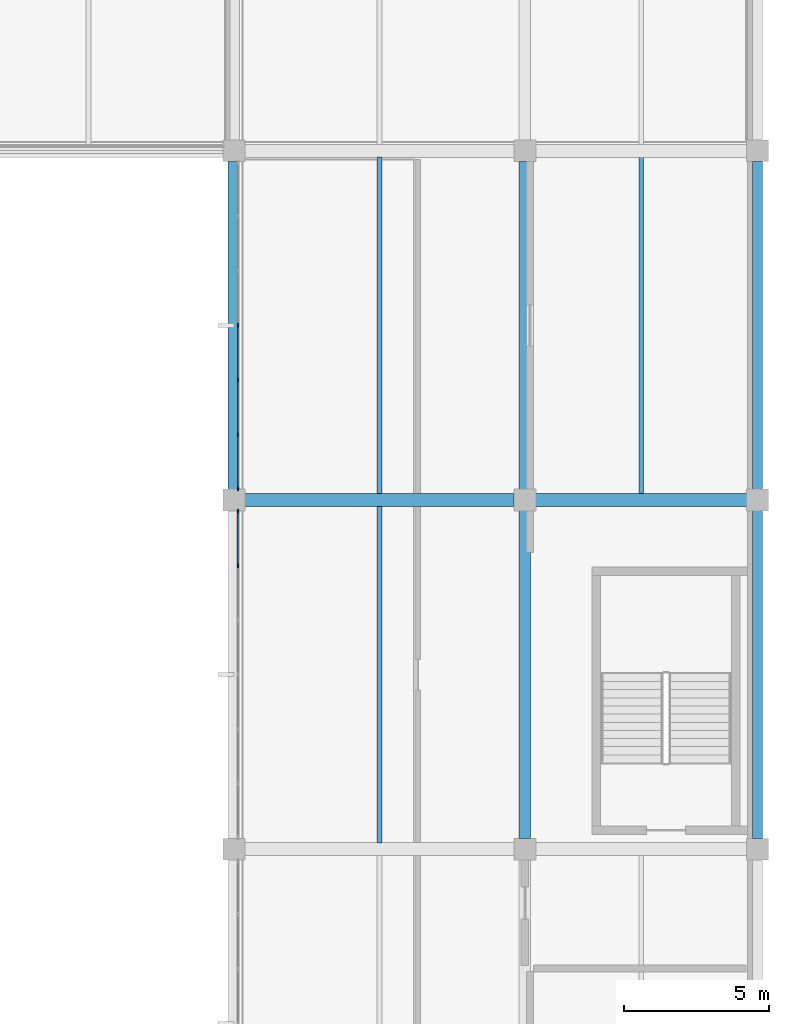
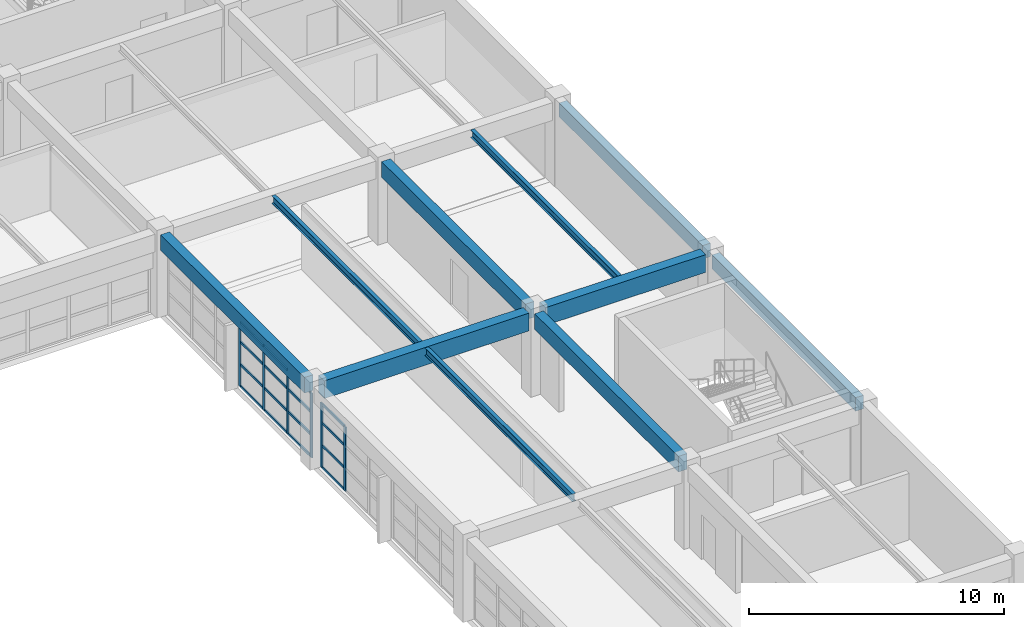
# One storey, part 37 of 83: 22 members, 10 beams, 2 elements without a shape of their own.
"""IFC4 building model written with IfcOpenShell, lengths in metres."""

from ifc_helpers import new_model, si_unit, direction, frame, origin, origin_2d, place, context, subcontext, project, spatial, rectangle, i_section, extrude, material, layer, layer_set, material_profile, profile_set, type_object, element, aggregate, save


model = new_model("IFC4")

# Units and contexts
model_context = context("Model", 3, precision=1e-05, world=origin(), true_north=direction((0.0, 1.0)))
body_context = subcontext(model_context, "Body", "Model", "MODEL_VIEW")
ifc_project = project(units=[si_unit("LENGTHUNIT", "METRE"), si_unit("AREAUNIT", "SQUARE_METRE"), si_unit("VOLUMEUNIT", "CUBIC_METRE"), si_unit("PLANEANGLEUNIT", "RADIAN"), si_unit("MASSUNIT", "GRAM", prefix="KILO")], contexts=[model_context])

# Site, building, storey
site_placement = place(None, origin())
site = spatial("IfcSite", under=ifc_project, at=site_placement, CompositionType="ELEMENT")
building_placement = place(site_placement, origin())
building = spatial("IfcBuilding", under=site, at=building_placement, Name="Kivolera Central Railway Station", CompositionType="ELEMENT")
storey_placement = place(building_placement, frame((0.0, 0.0, 14.39990234375)))
storey = spatial("IfcBuildingStorey", under=building, at=storey_placement, Name="L03", CompositionType="ELEMENT", Elevation=14.39990234375)

# Beams
ifc_material_1 = material(Name="Steel S355", Category="steel")
ifc_material_profile_1 = material_profile(ifc_material_1, i_section(OverallWidth=0.169921875, OverallDepth=0.360107421875, WebThickness=0.008056640625, FlangeThickness=0.0126953125, FilletRadius=0.01806640625, at=origin_2d()), Name="IPE 360")
ifc_profile_set_1 = profile_set([ifc_material_profile_1], Name="Steel S355")
beam_type_1 = type_object("IfcBeamType", Name="BM-JST-IPE360", PredefinedType="JOIST", material=ifc_profile_set_1)
for number, where, z_axis, x_axis, name in (
    (1, (183.0, 90.217041015625, 3.748046875), (0.0, 1.0, 0.0), (-1.0, 0.0, 0.0), "L03 Floor Joist 18-19/H-J"),
    (2, (183.0, 102.217041015625, 3.748046875), (0.0, 1.0, 0.0), (-1.0, 0.0, 0.0), "L03 Floor Joist 18-19/J-K"),
    (3, (192.0, 102.217041015625, 3.748046875), (0.0, 1.0, 0.0), (-1.0, 0.0, 0.0), "L03 Floor Joist 19-20/J-K"),
):
    element("IfcBeam", number, at=place(storey_placement, frame(where, z_axis=z_axis, x_axis=x_axis)), inside=storey, type_object=beam_type_1, Name=name, PredefinedType="JOIST", context=body_context, shape_type="SweptSolid", body=[
        extrude(i_section(OverallWidth=0.169921875, OverallDepth=0.360107421875, WebThickness=0.008056640625, FlangeThickness=0.0126953125, FilletRadius=0.01806640625, at=origin_2d()), origin(), (0.0, 0.0, 1.0), 11.56591796875),
    ])
ifc_material_2 = material(Name="Concrete C40/50", Category="concrete")
ifc_material_profile_2 = material_profile(ifc_material_2, rectangle(XDim=0.39990234375, YDim=0.75, at=origin_2d()), Name="RC 400x750")
ifc_profile_set_2 = profile_set([ifc_material_profile_2], Name="Concrete C40/50")
beam_type_2 = type_object("IfcBeamType", Name="BM-RC-400x750", PredefinedType="BEAM", material=ifc_profile_set_2)
for number, where, z_axis, x_axis, name in (
    (4, (178.0, 102.366943359375, 3.565185546875), (0.0, 1.0, 0.0), (-1.0, 0.0, 0.0), "L03 Wing Y-Beam 18:J-K"),
    (5, (188.0, 90.366943359375, 3.565185546875), (0.0, 1.0, 0.0), (-1.0, 0.0, 0.0), "L03 Wing Y-Beam 19:H-J"),
    (6, (188.0, 102.366943359375, 3.565185546875), (0.0, 1.0, 0.0), (-1.0, 0.0, 0.0), "L03 Wing Y-Beam 19:J-K"),
):
    element("IfcBeam", number, at=place(storey_placement, frame(where, z_axis=z_axis, x_axis=x_axis)), inside=storey, type_object=beam_type_2, Name=name, PredefinedType="BEAM", context=body_context, shape_type="SweptSolid", body=[
        extrude(rectangle(XDim=0.39990234375, YDim=0.75, at=origin_2d()), origin(), (0.0, 0.0, 1.0), 11.26611328125),
    ])
ifc_material_profile_3 = material_profile(ifc_material_2, rectangle(XDim=0.449951171875, YDim=0.85009765625, at=origin_2d()), Name="RC 450x850")
ifc_profile_set_3 = profile_set([ifc_material_profile_3], Name="Concrete C40/50")
beam_type_3 = type_object("IfcBeamType", Name="BM-RC-450x850", PredefinedType="BEAM", material=ifc_profile_set_3)
beam_1_placement = place(storey_placement, frame((178.366943359375, 102.0, 3.51513671875), z_axis=(1.0, 0.0, 0.0), x_axis=(0.0, 1.0, 0.0)))
element("IfcBeam", 7, at=beam_1_placement, inside=storey, type_object=beam_type_3, Name="L03 Wing X-Beam J:18-19", PredefinedType="BEAM", context=body_context, shape_type="SweptSolid", body=[
    extrude(rectangle(XDim=0.449951171875, YDim=0.85009765625, at=origin_2d()), origin(), (0.0, 0.0, 1.0), 9.26611328125),
])
beam_2_placement = place(storey_placement, frame((188.366943359375, 102.0, 3.51513671875), z_axis=(1.0, 0.0, 0.0), x_axis=(0.0, 1.0, 0.0)))
element("IfcBeam", 8, at=beam_2_placement, inside=storey, type_object=beam_type_3, Name="L03 Wing X-Beam J:19-20", PredefinedType="BEAM", context=body_context, shape_type="SweptSolid", body=[
    extrude(rectangle(XDim=0.449951171875, YDim=0.85009765625, at=origin_2d()), origin(), (0.0, 0.0, 1.0), 7.26611328125),
])
ifc_material_profile_4 = material_profile(ifc_material_2, rectangle(XDim=0.35009765625, YDim=0.64990234375, at=origin_2d()), Name="RC 350x650")
ifc_profile_set_4 = profile_set([ifc_material_profile_4], Name="Concrete C40/50")
beam_type_4 = type_object("IfcBeamType", Name="BM-SPN-RC650", PredefinedType="SPANDREL", material=ifc_profile_set_4)
for number, where, z_axis, x_axis, name in (
    (9, (196.0, 90.366943359375, 3.614990234375), (0.0, 1.0, 0.0), (-1.0, 0.0, 0.0), "L03 Wing Y-Beam 20:H-J"),
    (10, (196.0, 102.366943359375, 3.614990234375), (0.0, 1.0, 0.0), (-1.0, 0.0, 0.0), "L03 Wing Y-Beam 20:J-K"),
):
    element("IfcBeam", number, at=place(storey_placement, frame(where, z_axis=z_axis, x_axis=x_axis)), inside=storey, type_object=beam_type_4, Name=name, PredefinedType="SPANDREL", context=body_context, shape_type="SweptSolid", body=[
        extrude(rectangle(XDim=0.35009765625, YDim=0.64990234375, at=origin_2d()), origin(), (0.0, 0.0, 1.0), 11.26611328125),
    ])

# Curtain wall, members
ifc_material_3 = material(Name="Anodised aluminium", Category="aluminium")
ifc_layer = layer(ifc_material_3, 0.179931640625, Name="Anodised aluminium")
ifc_layer_set = layer_set([ifc_layer], Name="Anodised aluminium")
curtain_wall_type = type_object("IfcCurtainWallType", Name="CW-SYS-30", PredefinedType="NOTDEFINED", material=ifc_layer_set)
curtain_wall_1_placement = place(storey_placement, origin())
curtain_wall_1 = element("IfcCurtainWall", 11, at=curtain_wall_1_placement, inside=storey, type_object=curtain_wall_type, Name="L03 Curtain Wall CW-L03-CRTE-H", PredefinedType="NOTDEFINED")
ifc_material_profile_5 = material_profile(ifc_material_3, rectangle(XDim=0.06005859375, YDim=0.14990234375, at=origin_2d()), Name="ALU MULL 60x150")
ifc_profile_set_5 = profile_set([ifc_material_profile_5], Name="Anodised aluminium")
member_type_1 = type_object("IfcMemberType", Name="CWM-MUL-2", PredefinedType="MULLION", material=ifc_profile_set_5)
member_1_placement = place(storey_placement, frame((178.14501953125, 99.75341796875, -0.0048828125), z_axis=(0.0, 0.0, 1.0), x_axis=(-1.0, 0.0, 0.0)))
member_1 = element("IfcMember", 12, at=member_1_placement, type_object=member_type_1, Name="CW-30 mullion 6", PredefinedType="MULLION", context=body_context, shape_type="SweptSolid", body=[
    extrude(rectangle(XDim=0.06005859375, YDim=0.14990234375, at=origin_2d()), origin(), (0.0, 0.0, 1.0), 3.0830078125),
])
member_2_placement = place(storey_placement, frame((178.14501953125, 101.60009765625, -0.0048828125), z_axis=(0.0, 0.0, 1.0), x_axis=(-1.0, 0.0, 0.0)))
member_2 = element("IfcMember", 13, at=member_2_placement, type_object=member_type_1, Name="CW-30 mullion 7", PredefinedType="MULLION", context=body_context, shape_type="SweptSolid", body=[
    extrude(rectangle(XDim=0.06005859375, YDim=0.14990234375, at=origin_2d()), origin(), (0.0, 0.0, 1.0), 3.0830078125),
])

curtain_wall_2_placement = place(storey_placement, origin())
curtain_wall_2 = element("IfcCurtainWall", 14, at=curtain_wall_2_placement, inside=storey, type_object=curtain_wall_type, Name="L03 Curtain Wall CW-L03-CRTE-J", PredefinedType="NOTDEFINED")
member_3_placement = place(storey_placement, frame((178.14501953125, 102.39990234375, -0.0048828125), z_axis=(0.0, 0.0, 1.0), x_axis=(-1.0, 0.0, 0.0)))
member_3 = element("IfcMember", 15, at=member_3_placement, type_object=member_type_1, Name="CW-30 mullion 1", PredefinedType="MULLION", context=body_context, shape_type="SweptSolid", body=[
    extrude(rectangle(XDim=0.06005859375, YDim=0.14990234375, at=origin_2d()), origin(), (0.0, 0.0, 1.0), 3.0830078125),
])
member_4_placement = place(storey_placement, frame((178.14501953125, 104.24658203125, -0.0048828125), z_axis=(0.0, 0.0, 1.0), x_axis=(-1.0, 0.0, 0.0)))
member_4 = element("IfcMember", 16, at=member_4_placement, type_object=member_type_1, Name="CW-30 mullion 2", PredefinedType="MULLION", context=body_context, shape_type="SweptSolid", body=[
    extrude(rectangle(XDim=0.06005859375, YDim=0.14990234375, at=origin_2d()), origin(), (0.0, 0.0, 1.0), 3.0830078125),
])
member_5_placement = place(storey_placement, frame((178.14501953125, 106.123291015625, -0.0048828125), z_axis=(0.0, 0.0, 1.0), x_axis=(-1.0, 0.0, 0.0)))
member_5 = element("IfcMember", 17, at=member_5_placement, type_object=member_type_1, Name="CW-30 mullion 3", PredefinedType="MULLION", context=body_context, shape_type="SweptSolid", body=[
    extrude(rectangle(XDim=0.06005859375, YDim=0.14990234375, at=origin_2d()), origin(), (0.0, 0.0, 1.0), 3.0830078125),
])
member_6_placement = place(storey_placement, frame((178.14501953125, 108.0, -0.0048828125), z_axis=(0.0, 0.0, 1.0), x_axis=(-1.0, 0.0, 0.0)))
member_6 = element("IfcMember", 18, at=member_6_placement, type_object=member_type_1, Name="CW-30 mullion 4", PredefinedType="MULLION", context=body_context, shape_type="SweptSolid", body=[
    extrude(rectangle(XDim=0.06005859375, YDim=0.14990234375, at=origin_2d()), origin(), (0.0, 0.0, 1.0), 3.0830078125),
])

# Member
ifc_material_profile_6 = material_profile(ifc_material_3, rectangle(XDim=0.06005859375, YDim=0.1201171875, at=origin_2d()), Name="ALU TRAN 60x120")
ifc_profile_set_6 = profile_set([ifc_material_profile_6], Name="Anodised aluminium")
member_type_2 = type_object("IfcMemberType", Name="CWM-TRN-2", PredefinedType="USERDEFINED", material=ifc_profile_set_6)
member_7_placement = place(storey_placement, frame((178.14501953125, 99.783447265625, 0.030029296875), z_axis=(0.0, 1.0, 0.0), x_axis=(-1.0, 0.0, 0.0)))
member_7 = element("IfcMember", 19, at=member_7_placement, type_object=member_type_2, Name="CW-30 transom 6.1", ObjectType="TRANSOM", PredefinedType="USERDEFINED", context=body_context, shape_type="SweptSolid", body=[
    extrude(rectangle(XDim=0.06005859375, YDim=0.1201171875, at=origin_2d()), origin(), (0.0, 0.0, 1.0), 1.78662109375),
])

member_8_placement = place(storey_placement, frame((178.14501953125, 99.783447265625, 1.077392578125), z_axis=(0.0, 1.0, 0.0), x_axis=(-1.0, 0.0, 0.0)))
member_8 = element("IfcMember", 20, at=member_8_placement, type_object=member_type_2, Name="CW-30 transom 6.2", ObjectType="TRANSOM", PredefinedType="USERDEFINED", context=body_context, shape_type="SweptSolid", body=[
    extrude(rectangle(XDim=0.06005859375, YDim=0.1201171875, at=origin_2d()), origin(), (0.0, 0.0, 1.0), 1.78662109375),
])

member_9_placement = place(storey_placement, frame((178.14501953125, 99.783447265625, 2.15478515625), z_axis=(0.0, 1.0, 0.0), x_axis=(-1.0, 0.0, 0.0)))
member_9 = element("IfcMember", 21, at=member_9_placement, type_object=member_type_2, Name="CW-30 transom 6.3", ObjectType="TRANSOM", PredefinedType="USERDEFINED", context=body_context, shape_type="SweptSolid", body=[
    extrude(rectangle(XDim=0.06005859375, YDim=0.1201171875, at=origin_2d()), origin(), (0.0, 0.0, 1.0), 1.78662109375),
])

member_10_placement = place(storey_placement, frame((178.14501953125, 99.783447265625, 3.048095703125), z_axis=(0.0, 1.0, 0.0), x_axis=(-1.0, 0.0, 0.0)))
member_10 = element("IfcMember", 22, at=member_10_placement, type_object=member_type_2, Name="CW-30 transom 6.4", ObjectType="TRANSOM", PredefinedType="USERDEFINED", context=body_context, shape_type="SweptSolid", body=[
    extrude(rectangle(XDim=0.06005859375, YDim=0.1201171875, at=origin_2d()), origin(), (0.0, 0.0, 1.0), 1.78662109375),
])

aggregate(curtain_wall_1, [member_1, member_2, member_7, member_8, member_9, member_10])

member_11_placement = place(storey_placement, frame((178.14501953125, 102.429931640625, 0.030029296875), z_axis=(0.0, 1.0, 0.0), x_axis=(-1.0, 0.0, 0.0)))
member_11 = element("IfcMember", 23, at=member_11_placement, type_object=member_type_2, Name="CW-30 transom 1.1", ObjectType="TRANSOM", PredefinedType="USERDEFINED", context=body_context, shape_type="SweptSolid", body=[
    extrude(rectangle(XDim=0.06005859375, YDim=0.1201171875, at=origin_2d()), origin(), (0.0, 0.0, 1.0), 1.78662109375),
])

member_12_placement = place(storey_placement, frame((178.14501953125, 102.429931640625, 1.077392578125), z_axis=(0.0, 1.0, 0.0), x_axis=(-1.0, 0.0, 0.0)))
member_12 = element("IfcMember", 24, at=member_12_placement, type_object=member_type_2, Name="CW-30 transom 1.2", ObjectType="TRANSOM", PredefinedType="USERDEFINED", context=body_context, shape_type="SweptSolid", body=[
    extrude(rectangle(XDim=0.06005859375, YDim=0.1201171875, at=origin_2d()), origin(), (0.0, 0.0, 1.0), 1.78662109375),
])

member_13_placement = place(storey_placement, frame((178.14501953125, 102.429931640625, 2.15478515625), z_axis=(0.0, 1.0, 0.0), x_axis=(-1.0, 0.0, 0.0)))
member_13 = element("IfcMember", 25, at=member_13_placement, type_object=member_type_2, Name="CW-30 transom 1.3", ObjectType="TRANSOM", PredefinedType="USERDEFINED", context=body_context, shape_type="SweptSolid", body=[
    extrude(rectangle(XDim=0.06005859375, YDim=0.1201171875, at=origin_2d()), origin(), (0.0, 0.0, 1.0), 1.78662109375),
])

member_14_placement = place(storey_placement, frame((178.14501953125, 102.429931640625, 3.048095703125), z_axis=(0.0, 1.0, 0.0), x_axis=(-1.0, 0.0, 0.0)))
member_14 = element("IfcMember", 26, at=member_14_placement, type_object=member_type_2, Name="CW-30 transom 1.4", ObjectType="TRANSOM", PredefinedType="USERDEFINED", context=body_context, shape_type="SweptSolid", body=[
    extrude(rectangle(XDim=0.06005859375, YDim=0.1201171875, at=origin_2d()), origin(), (0.0, 0.0, 1.0), 1.78662109375),
])

member_15_placement = place(storey_placement, frame((178.14501953125, 104.276611328125, 0.030029296875), z_axis=(0.0, 1.0, 0.0), x_axis=(-1.0, 0.0, 0.0)))
member_15 = element("IfcMember", 27, at=member_15_placement, type_object=member_type_2, Name="CW-30 transom 2.1", ObjectType="TRANSOM", PredefinedType="USERDEFINED", context=body_context, shape_type="SweptSolid", body=[
    extrude(rectangle(XDim=0.06005859375, YDim=0.1201171875, at=origin_2d()), origin(), (0.0, 0.0, 1.0), 1.816650390625),
])

member_16_placement = place(storey_placement, frame((178.14501953125, 104.276611328125, 1.077392578125), z_axis=(0.0, 1.0, 0.0), x_axis=(-1.0, 0.0, 0.0)))
member_16 = element("IfcMember", 28, at=member_16_placement, type_object=member_type_2, Name="CW-30 transom 2.2", ObjectType="TRANSOM", PredefinedType="USERDEFINED", context=body_context, shape_type="SweptSolid", body=[
    extrude(rectangle(XDim=0.06005859375, YDim=0.1201171875, at=origin_2d()), origin(), (0.0, 0.0, 1.0), 1.816650390625),
])

member_17_placement = place(storey_placement, frame((178.14501953125, 104.276611328125, 2.15478515625), z_axis=(0.0, 1.0, 0.0), x_axis=(-1.0, 0.0, 0.0)))
member_17 = element("IfcMember", 29, at=member_17_placement, type_object=member_type_2, Name="CW-30 transom 2.3", ObjectType="TRANSOM", PredefinedType="USERDEFINED", context=body_context, shape_type="SweptSolid", body=[
    extrude(rectangle(XDim=0.06005859375, YDim=0.1201171875, at=origin_2d()), origin(), (0.0, 0.0, 1.0), 1.816650390625),
])

member_18_placement = place(storey_placement, frame((178.14501953125, 104.276611328125, 3.048095703125), z_axis=(0.0, 1.0, 0.0), x_axis=(-1.0, 0.0, 0.0)))
member_18 = element("IfcMember", 30, at=member_18_placement, type_object=member_type_2, Name="CW-30 transom 2.4", ObjectType="TRANSOM", PredefinedType="USERDEFINED", context=body_context, shape_type="SweptSolid", body=[
    extrude(rectangle(XDim=0.06005859375, YDim=0.1201171875, at=origin_2d()), origin(), (0.0, 0.0, 1.0), 1.816650390625),
])

member_19_placement = place(storey_placement, frame((178.14501953125, 106.1533203125, 0.030029296875), z_axis=(0.0, 1.0, 0.0), x_axis=(-1.0, 0.0, 0.0)))
member_19 = element("IfcMember", 31, at=member_19_placement, type_object=member_type_2, Name="CW-30 transom 3.1", ObjectType="TRANSOM", PredefinedType="USERDEFINED", context=body_context, shape_type="SweptSolid", body=[
    extrude(rectangle(XDim=0.06005859375, YDim=0.1201171875, at=origin_2d()), origin(), (0.0, 0.0, 1.0), 1.816650390625),
])

member_20_placement = place(storey_placement, frame((178.14501953125, 106.1533203125, 1.077392578125), z_axis=(0.0, 1.0, 0.0), x_axis=(-1.0, 0.0, 0.0)))
member_20 = element("IfcMember", 32, at=member_20_placement, type_object=member_type_2, Name="CW-30 transom 3.2", ObjectType="TRANSOM", PredefinedType="USERDEFINED", context=body_context, shape_type="SweptSolid", body=[
    extrude(rectangle(XDim=0.06005859375, YDim=0.1201171875, at=origin_2d()), origin(), (0.0, 0.0, 1.0), 1.816650390625),
])

member_21_placement = place(storey_placement, frame((178.14501953125, 106.1533203125, 2.15478515625), z_axis=(0.0, 1.0, 0.0), x_axis=(-1.0, 0.0, 0.0)))
member_21 = element("IfcMember", 33, at=member_21_placement, type_object=member_type_2, Name="CW-30 transom 3.3", ObjectType="TRANSOM", PredefinedType="USERDEFINED", context=body_context, shape_type="SweptSolid", body=[
    extrude(rectangle(XDim=0.06005859375, YDim=0.1201171875, at=origin_2d()), origin(), (0.0, 0.0, 1.0), 1.816650390625),
])

member_22_placement = place(storey_placement, frame((178.14501953125, 106.1533203125, 3.048095703125), z_axis=(0.0, 1.0, 0.0), x_axis=(-1.0, 0.0, 0.0)))
member_22 = element("IfcMember", 34, at=member_22_placement, type_object=member_type_2, Name="CW-30 transom 3.4", ObjectType="TRANSOM", PredefinedType="USERDEFINED", context=body_context, shape_type="SweptSolid", body=[
    extrude(rectangle(XDim=0.06005859375, YDim=0.1201171875, at=origin_2d()), origin(), (0.0, 0.0, 1.0), 1.816650390625),
])

aggregate(curtain_wall_2, [member_3, member_4, member_5, member_6, member_11, member_12, member_13, member_14, member_15, member_16, member_17, member_18, member_19, member_20, member_21, member_22])

save(model, "model.ifc")
